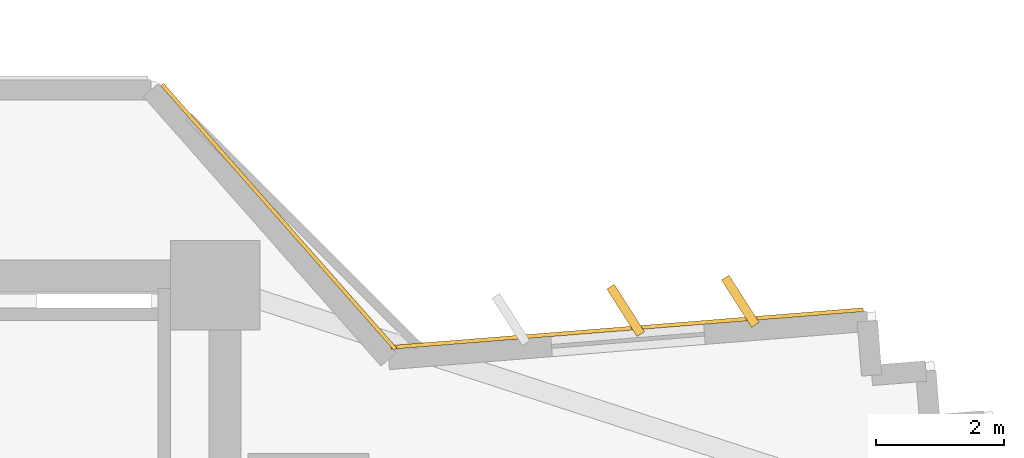
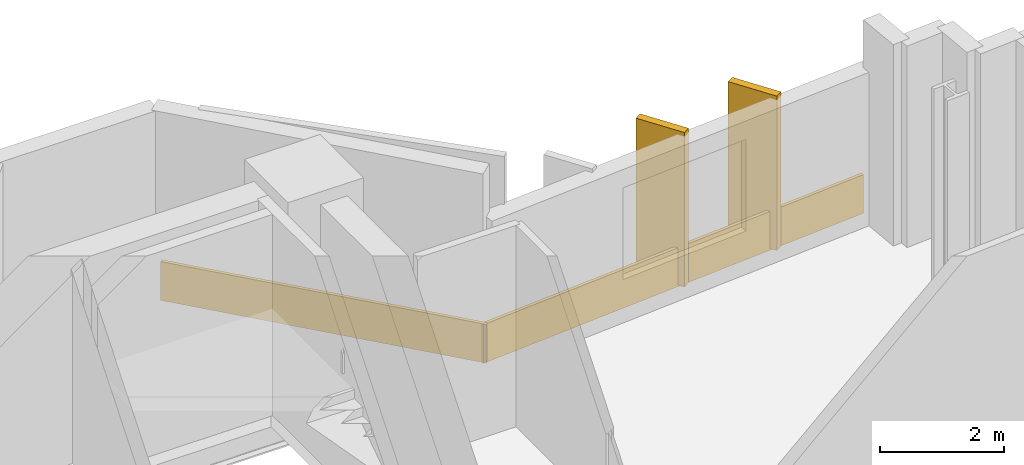
# One storey, part 15 of 15: 4 coverings.
"""IFC4 building model written with IfcOpenShell, lengths in metres."""

from ifc_helpers import new_model, si_unit, direction, frame, origin, origin_2d, place, context, subcontext, project, spatial, rectangle, extrude, source, transform, mapped, material, layer, layer_set, type_object, element, save


model = new_model("IFC4")

# Units and contexts
model_context = context("Model", 3, precision=1e-05, world=origin(), true_north=direction((0.0, 1.0)))
body_context = subcontext(model_context, "Body", "Model", "MODEL_VIEW")
ifc_project = project(units=[si_unit("LENGTHUNIT", "METRE"), si_unit("AREAUNIT", "SQUARE_METRE"), si_unit("VOLUMEUNIT", "CUBIC_METRE"), si_unit("PLANEANGLEUNIT", "RADIAN"), si_unit("MASSUNIT", "GRAM", prefix="KILO")], contexts=[model_context])

# Site, building, storey
site_placement = place(None, origin())
site = spatial("IfcSite", under=ifc_project, at=site_placement, CompositionType="ELEMENT")
building_placement = place(site_placement, origin())
building = spatial("IfcBuilding", under=site, at=building_placement, Name="Zahravan Cultural Tower", CompositionType="ELEMENT")
storey_placement = place(building_placement, frame((0.0, 0.0, 79.5)))
storey = spatial("IfcBuildingStorey", under=building, at=storey_placement, Name="L17", CompositionType="ELEMENT", Elevation=79.5)

# Coverings
ifc_material = material(Name="Terracotta ceramic cladding", Category="masonry")
ifc_layer = layer(ifc_material, 0.06005859375)
ifc_layer_set = layer_set([ifc_layer], Name="Terracotta ceramic cladding")
covering_type = type_object("IfcCoveringType", Name="COV-CLAD-TC60", PredefinedType="CLADDING", material=ifc_layer_set)
shared_shape_1 = source(origin(), body_context, "Body", "SweptSolid", [
    extrude(rectangle(XDim=0.8798828125, YDim=0.139892578125, at=origin_2d()), origin(), (0.0, 0.0, 1.0), 3.030029296875),
])
for number, where, z_axis, x_axis, name in (
    (1, (56.76806640625, 35.80908203125, 0.0498046875), (0.0, 0.0, 1.0), (-0.538182511035, 0.842828324641, 0.0), "L17 Herringbone Terracotta Fin 02"),
    (2, (58.5625, 35.9521484375, 0.0498046875), (0.0, 0.0, 1.0), (-0.538182511035, 0.842828324641, 0.0), "L17 Herringbone Terracotta Fin 03"),
):
    element("IfcCovering", number, at=place(storey_placement, frame(where, z_axis=z_axis, x_axis=x_axis)), inside=storey, type_object=covering_type, Name=name, PredefinedType="CLADDING", context=body_context, shape_type="MappedRepresentation", body=[
        mapped(shared_shape_1, transform((0.0, 0.0, 0.0), x_axis=(1.0, 0.0, 0.0), y_axis=(0.0, 1.0, 0.0), z_axis=(0.0, 0.0, 1.0), scale=1.0)),
    ])
shared_shape_2 = source(origin(), body_context, "Body", "SweptSolid", [
    extrude(rectangle(XDim=7.414794921875, YDim=0.06005859375, at=origin_2d()), origin(), (0.0, 0.0, 1.0), 0.760009765625),
])
covering_1_placement = place(storey_placement, frame((56.790771484375, 35.52490234375, 0.02001953125), z_axis=(0.0, 0.0, 1.0), x_axis=(0.996834624954, 0.079503021908, 0.0)))
element("IfcCovering", 3, at=covering_1_placement, inside=storey, type_object=covering_type, Name="L17 Terracotta Spandrel Cladding 01", PredefinedType="CLADDING", context=body_context, shape_type="MappedRepresentation", body=[
    mapped(shared_shape_2, transform((0.0, 0.0, 0.0), x_axis=(1.0, 0.0, 0.0), y_axis=(0.0, 1.0, 0.0), z_axis=(0.0, 0.0, 1.0), scale=1.0)),
])
shared_shape_3 = source(origin(), body_context, "Body", "SweptSolid", [
    extrude(rectangle(XDim=5.52294921875, YDim=0.06005859375, at=origin_2d()), origin(), (0.0, 0.0, 1.0), 0.760009765625),
])
covering_2_placement = place(storey_placement, frame((51.33984375, 37.273193359375, 0.02001953125), z_axis=(0.0, 0.0, 1.0), x_axis=(0.66123331025, -0.750180317934, 0.0)))
element("IfcCovering", 4, at=covering_2_placement, inside=storey, type_object=covering_type, Name="L17 Terracotta Spandrel Cladding 52", PredefinedType="CLADDING", context=body_context, shape_type="MappedRepresentation", body=[
    mapped(shared_shape_3, transform((0.0, 0.0, 0.0), x_axis=(1.0, 0.0, 0.0), y_axis=(0.0, 1.0, 0.0), z_axis=(0.0, 0.0, 1.0), scale=1.0)),
])

save(model, "model.ifc")
